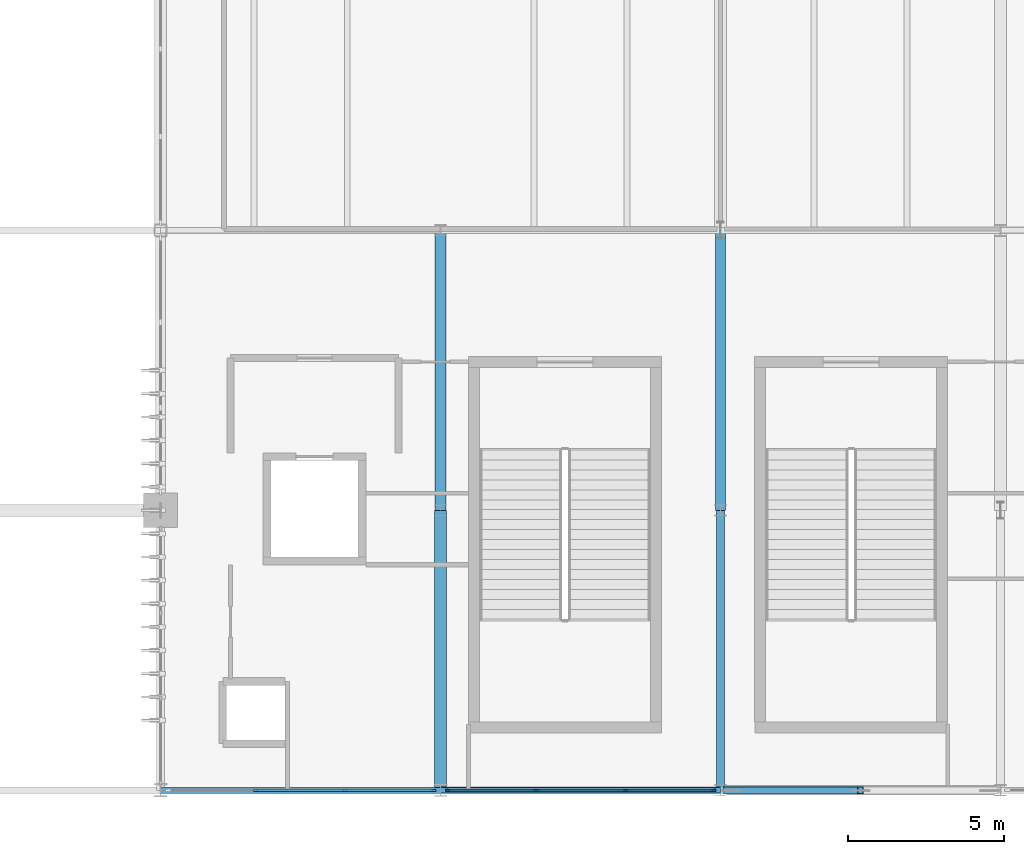
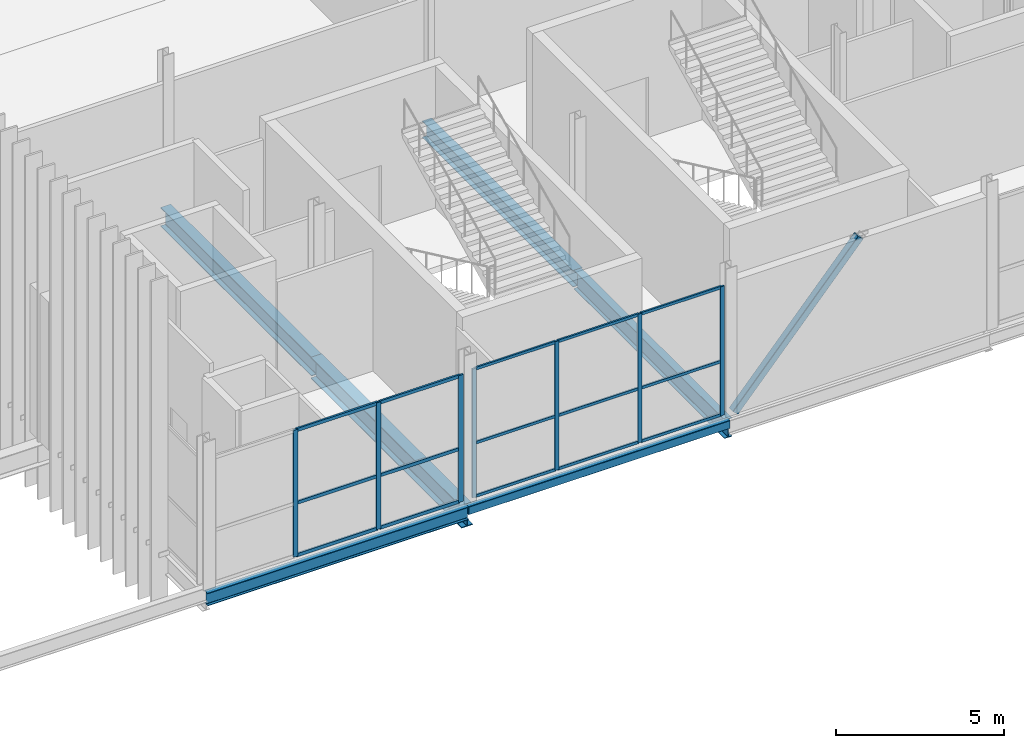
# One storey, part 44 of 119: 23 members, 6 beams, 2 elements without a shape of their own.
"""IFC4 building model written with IfcOpenShell, lengths in metres."""

import ifcopenshell
import ifcopenshell.guid

model = None  # the IFC model being written
_history = None  # IfcOwnerHistory: only IFC2X3 demands one
_inside = {}  # id of a spatial element -> (the spatial element, [elements in it])
_under = {}  # id of a project, library or spatial element -> (it, [spatial elements below it])
_declared = {}  # id of a project -> (the project, [libraries it declares])
_typed = {}  # id of a type object -> (the type object, [elements of that type])
_made_of = {}  # id of a material, layer set ... -> (it, [elements and type objects made of it])


def new_model(schema):
    """Start an empty IFC model of exactly this schema.

    Asked for "IFC4X3", IfcOpenShell would pick the latest addendum, in which some entities
    have other attributes; the version numbers below select the first issue.
    IFC2X3 requires an IfcOwnerHistory on every rooted entity: one is made here for all.
    """
    global model, _history
    if schema == "IFC4X3":
        model = ifcopenshell.file(schema_version=(4, 3, 0, 0))
    else:
        model = ifcopenshell.file(schema=schema)
    _inside.clear()
    _under.clear()
    _declared.clear()
    _typed.clear()
    _made_of.clear()
    _history = None
    if model.schema == "IFC2X3":
        org = make("IfcOrganization", Name="unknown")
        user = make(
            "IfcPersonAndOrganization",
            ThePerson=make("IfcPerson", FamilyName="unknown"),
            TheOrganization=org,
        )
        app = make(
            "IfcApplication",
            ApplicationDeveloper=org,
            Version="unknown",
            ApplicationFullName="unknown",
            ApplicationIdentifier="unknown",
        )
        _history = make(
            "IfcOwnerHistory",
            OwningUser=user,
            OwningApplication=app,
            ChangeAction="ADDED",
            CreationDate=0,
        )
    return model


def make(cls, **values):
    """One entity of the class cls with the attributes given. An attribute that is None is left unset."""
    return model.create_entity(
        cls, **{name: value for name, value in values.items() if value is not None}
    )


def rooted(cls, **values):
    """An entity with a GlobalId (a new one), such as an element, a storey or a relation."""
    return make(cls, GlobalId=ifcopenshell.guid.new(), OwnerHistory=_history, **values)


def si_unit(unit_type, name, prefix=None):
    """IfcSIUnit, for example si_unit("LENGTHUNIT", "METRE", prefix="MILLI")."""
    return make("IfcSIUnit", UnitType=unit_type, Prefix=prefix, Name=name)


def assignment(units):
    """IfcUnitAssignment: the units of a project."""
    return None if units is None else make("IfcUnitAssignment", Units=units)


def point(xyz):
    """IfcCartesianPoint."""
    return None if xyz is None else make("IfcCartesianPoint", Coordinates=xyz)


def direction(xyz):
    """IfcDirection."""
    return None if xyz is None else make("IfcDirection", DirectionRatios=xyz)


def frame(location, z_axis=None, x_axis=None):
    """IfcAxis2Placement3D, a coordinate frame: its origin and axes. An axis left out is left unset."""
    return make(
        "IfcAxis2Placement3D",
        Location=point(location),
        Axis=direction(z_axis),
        RefDirection=direction(x_axis),
    )


def frame_2d(location, x_axis=None):
    """IfcAxis2Placement2D, a coordinate frame in the plane: its origin and x axis."""
    return make(
        "IfcAxis2Placement2D", Location=point(location), RefDirection=direction(x_axis)
    )


def origin():
    """The frame at (0, 0, 0) with its axes left unset."""
    return frame((0.0, 0.0, 0.0))


def origin_2d():
    """The frame at (0, 0) in the plane with its x axis left unset."""
    return frame_2d((0.0, 0.0))


def place(relative_to, where):
    """IfcLocalPlacement: puts the frame where relative to a parent placement (None: the world)."""
    return make(
        "IfcLocalPlacement", PlacementRelTo=relative_to, RelativePlacement=where
    )


def context(
    kind, dimensions, precision=None, world=None, true_north=None, identifier=None
):
    """IfcGeometricRepresentationContext, for example the 3D "Model" context."""
    return make(
        "IfcGeometricRepresentationContext",
        ContextIdentifier=identifier,
        ContextType=kind,
        CoordinateSpaceDimension=dimensions,
        Precision=precision,
        WorldCoordinateSystem=world,
        TrueNorth=true_north,
    )


def subcontext(parent, identifier, kind, view, scale=None):
    """IfcGeometricRepresentationSubContext, for example "Body" below "Model"."""
    return make(
        "IfcGeometricRepresentationSubContext",
        ContextIdentifier=identifier,
        ContextType=kind,
        ParentContext=parent,
        TargetScale=scale,
        TargetView=view,
    )


def project(units=None, contexts=None):
    """IfcProject with its units and contexts."""
    return rooted(
        "IfcProject",
        Name="project",
        RepresentationContexts=contexts,
        UnitsInContext=assignment(units),
    )


def spatial(cls, under=None, at=None, **own):
    """A site, building, storey or space (cls), placed at a placement, below another one or the project."""
    s = rooted(cls, ObjectPlacement=at, **own)
    if under is not None:
        _under.setdefault(under.id(), (under, []))[1].append(s)
    return s


def profile(cls, at=None, kind="AREA", **sizes):
    """A parametric profile (cls). Its sizes go by their IFC names, for example OverallWidth=200.0."""
    return make(cls, ProfileType=kind, Position=at, **sizes)


def rectangle(**sizes):
    """IfcRectangleProfileDef."""
    return profile("IfcRectangleProfileDef", **sizes)


def hollow_rectangle(**sizes):
    """IfcRectangleHollowProfileDef."""
    return profile("IfcRectangleHollowProfileDef", **sizes)


def i_section(**sizes):
    """IfcIShapeProfileDef."""
    return profile("IfcIShapeProfileDef", **sizes)


def extrude(swept, where, along, depth):
    """IfcExtrudedAreaSolid: the profile swept, set in the frame where, extruded along a direction by depth."""
    return make(
        "IfcExtrudedAreaSolid",
        SweptArea=swept,
        Position=where,
        ExtrudedDirection=direction(along),
        Depth=depth,
    )


def shape(context_of_items, identifier, shape_type, items):
    """IfcShapeRepresentation: the items that make up one representation, for example the "Body"."""
    return make(
        "IfcShapeRepresentation",
        ContextOfItems=context_of_items,
        RepresentationIdentifier=identifier,
        RepresentationType=shape_type,
        Items=items,
    )


def material(Name=None, Category=None):
    """IfcMaterial."""
    return make("IfcMaterial", Name=Name, Category=Category)


def layer(
    of_material, thickness, ventilated=None, Name=None, Category=None, Priority=None
):
    """IfcMaterialLayer: one layer of a wall or slab, of a material (None: an air gap)."""
    return make(
        "IfcMaterialLayer",
        Material=of_material,
        LayerThickness=thickness,
        IsVentilated=ventilated,
        Name=Name,
        Category=Category,
        Priority=Priority,
    )


def layer_set(layers, Name=None):
    """IfcMaterialLayerSet."""
    return make("IfcMaterialLayerSet", MaterialLayers=layers, LayerSetName=Name)


def material_profile(
    of_material, cross_section, Name=None, Category=None, Priority=None
):
    """IfcMaterialProfile: a cross section and its material."""
    return make(
        "IfcMaterialProfile",
        Name=Name,
        Material=of_material,
        Profile=cross_section,
        Priority=Priority,
        Category=Category,
    )


def profile_set(profiles, Name=None, composite=None):
    """IfcMaterialProfileSet."""
    return make(
        "IfcMaterialProfileSet",
        Name=Name,
        MaterialProfiles=profiles,
        CompositeProfile=composite,
    )


def made_of(thing, what):
    """Note that an element or type object is made of a material, layer set ...; save() writes the relation."""
    if what is not None:
        _made_of.setdefault(what.id(), (what, []))[1].append(thing)
    return thing


def type_object(cls, material=None, **own):
    """A type object (cls), such as IfcWallType, which elements share."""
    return made_of(rooted(cls, **own), material)


def element(
    cls,
    number,
    at=None,
    inside=None,
    cuts=None,
    type_object=None,
    material=None,
    context=None,
    identifier="Body",
    shape_type=None,
    held_by="IfcProductDefinitionShape",
    body=None,
    shapes=None,
    **own,
):
    """One element of the class cls, such as IfcWall. Its Tag is "e" and its number.

    at: its placement. inside: the storey or other place that contains it. cuts: it is an
    opening in that element (IfcRelVoidsElement). A single representation is given by context,
    identifier, shape_type and body (its items); several are given by shapes. held_by: the class
    of the entity that holds the representations. save() writes the other relations.
    """
    e = rooted(cls, Tag="e%d" % number, ObjectPlacement=at, **own)
    if body is not None:
        shapes = [shape(context, identifier, shape_type, body)]
    if shapes is not None:
        e.Representation = make(held_by, Representations=shapes)
    if inside is not None:
        _inside.setdefault(inside.id(), (inside, []))[1].append(e)
    if cuts is not None:
        rooted(
            "IfcRelVoidsElement", RelatingBuildingElement=cuts, RelatedOpeningElement=e
        )
    if type_object is not None:
        _typed.setdefault(type_object.id(), (type_object, []))[1].append(e)
    return made_of(e, material)


def aggregate(whole, parts):
    """IfcRelAggregates: a whole, such as a stair, and the parts it consists of."""
    return rooted("IfcRelAggregates", RelatingObject=whole, RelatedObjects=parts)


def save(model, path):
    """Write the relations noted so far, then the file.

    IfcRelAggregates (storeys below a building ...), IfcRelContainedInSpatialStructure (elements
    in a storey), IfcRelDefinesByType, IfcRelAssociatesMaterial and IfcRelDeclares: one each for
    every whole, place, type object, material and project.
    """
    for whole, parts in _under.values():
        aggregate(whole, parts)
    for where, things in _inside.values():
        rooted(
            "IfcRelContainedInSpatialStructure",
            RelatedElements=things,
            RelatingStructure=where,
        )
    for kind, things in _typed.values():
        rooted("IfcRelDefinesByType", RelatedObjects=things, RelatingType=kind)
    for what, things in _made_of.values():
        rooted("IfcRelAssociatesMaterial", RelatedObjects=things, RelatingMaterial=what)
    for by, libraries in _declared.values():
        rooted("IfcRelDeclares", RelatingContext=by, RelatedDefinitions=libraries)
    model.write(path)


model = new_model("IFC4")

# Units and contexts
model_context = context("Model", 3, precision=1e-05, world=origin(), true_north=direction((0.0, 1.0)))
body_context = subcontext(model_context, "Body", "Model", "MODEL_VIEW")
ifc_project = project(units=[si_unit("LENGTHUNIT", "METRE"), si_unit("AREAUNIT", "SQUARE_METRE"), si_unit("VOLUMEUNIT", "CUBIC_METRE"), si_unit("PLANEANGLEUNIT", "RADIAN"), si_unit("MASSUNIT", "GRAM", prefix="KILO")], contexts=[model_context])

# Site, building, storey
site_placement = place(None, origin())
site = spatial("IfcSite", under=ifc_project, at=site_placement, CompositionType="ELEMENT")
building_placement = place(site_placement, origin())
building = spatial("IfcBuilding", under=site, at=building_placement, Name="Qamarlyn Nura Convention Centre", CompositionType="ELEMENT")
storey_placement = place(building_placement, frame((0.0, 0.0, 5.39990234375)))
storey = spatial("IfcBuildingStorey", under=building, at=storey_placement, Name="L01", CompositionType="ELEMENT", Elevation=5.39990234375)

# Beams
ifc_material_1 = material(Name="Steel ASTM A992", Category="steel")
ifc_material_profile_1 = material_profile(ifc_material_1, i_section(OverallWidth=0.323974609375, OverallDepth=0.611083984375, WebThickness=0.0126953125, FlangeThickness=0.01904296875, FilletRadius=0.01611328125, at=origin_2d()), Name="W610X155")
ifc_profile_set_1 = profile_set([ifc_material_profile_1], Name="Steel ASTM A992")
beam_type_1 = type_object("IfcBeamType", Name="BM-GIRD-610", PredefinedType="BEAM", material=ifc_profile_set_1)
beam_1_placement = place(storey_placement, frame((171.0, 9.0, -0.525390625), z_axis=(0.0, 1.0, 0.0), x_axis=(-1.0, 0.0, 0.0)))
element("IfcBeam", 1, at=beam_1_placement, inside=storey, type_object=beam_type_1, Name="L01 girder 15 B-C", PredefinedType="BEAM", context=body_context, shape_type="SweptSolid", body=[
    extrude(i_section(OverallWidth=0.323974609375, OverallDepth=0.611083984375, WebThickness=0.0126953125, FlangeThickness=0.01904296875, FilletRadius=0.01611328125, at=origin_2d()), origin(), (0.0, 0.0, 1.0), 9.0),
])
ifc_material_profile_2 = material_profile(ifc_material_1, i_section(OverallWidth=0.35498046875, OverallDepth=0.695068359375, WebThickness=0.015380859375, FlangeThickness=0.02490234375, FilletRadius=0.01806640625, at=origin_2d()), Name="W690X217")
ifc_profile_set_2 = profile_set([ifc_material_profile_2], Name="Steel ASTM A992")
beam_type_2 = type_object("IfcBeamType", Name="BM-GIRD-690A", PredefinedType="BEAM", material=ifc_profile_set_2)
beam_2_placement = place(storey_placement, frame((162.0, 9.0, -0.5673828125), z_axis=(0.0, 1.0, 0.0), x_axis=(-1.0, 0.0, 0.0)))
element("IfcBeam", 2, at=beam_2_placement, inside=storey, type_object=beam_type_2, Name="L01 girder 14 B-C", PredefinedType="BEAM", context=body_context, shape_type="SweptSolid", body=[
    extrude(i_section(OverallWidth=0.35498046875, OverallDepth=0.695068359375, WebThickness=0.015380859375, FlangeThickness=0.02490234375, FilletRadius=0.01806640625, at=origin_2d()), origin(), (0.0, 0.0, 1.0), 9.0),
])
ifc_material_profile_3 = material_profile(ifc_material_1, i_section(OverallWidth=0.25390625, OverallDepth=0.68408203125, WebThickness=0.012451171875, FlangeThickness=0.01904296875, FilletRadius=0.01806640625, at=origin_2d()), Name="W690X140")
ifc_profile_set_3 = profile_set([ifc_material_profile_3], Name="Steel ASTM A992")
beam_type_3 = type_object("IfcBeamType", Name="BM-GIRD-690B", PredefinedType="BEAM", material=ifc_profile_set_3)
beam_3_placement = place(storey_placement, frame((171.0, 0.0, -0.56201171875), z_axis=(0.0, 1.0, 0.0), x_axis=(-1.0, 0.0, 0.0)))
element("IfcBeam", 3, at=beam_3_placement, inside=storey, type_object=beam_type_3, Name="L01 girder 15 A-B", PredefinedType="BEAM", context=body_context, shape_type="SweptSolid", body=[
    extrude(i_section(OverallWidth=0.25390625, OverallDepth=0.68408203125, WebThickness=0.012451171875, FlangeThickness=0.01904296875, FilletRadius=0.01806640625, at=origin_2d()), origin(), (0.0, 0.0, 1.0), 9.0),
])
ifc_material_profile_4 = material_profile(ifc_material_1, i_section(OverallWidth=0.381103515625, OverallDepth=0.77294921875, WebThickness=0.0166015625, FlangeThickness=0.027587890625, FilletRadius=0.02001953125, at=origin_2d()), Name="W760X257")
ifc_profile_set_4 = profile_set([ifc_material_profile_4], Name="Steel ASTM A992")
beam_type_4 = type_object("IfcBeamType", Name="BM-GIRD-760", PredefinedType="BEAM", material=ifc_profile_set_4)
beam_4_placement = place(storey_placement, frame((162.0, 0.0, -0.6064453125), z_axis=(0.0, 1.0, 0.0), x_axis=(-1.0, 0.0, 0.0)))
element("IfcBeam", 4, at=beam_4_placement, inside=storey, type_object=beam_type_4, Name="L01 girder 14 A-B", PredefinedType="BEAM", context=body_context, shape_type="SweptSolid", body=[
    extrude(i_section(OverallWidth=0.381103515625, OverallDepth=0.77294921875, WebThickness=0.0166015625, FlangeThickness=0.027587890625, FilletRadius=0.02001953125, at=origin_2d()), origin(), (0.0, 0.0, 1.0), 9.0),
])
ifc_material_profile_5 = material_profile(ifc_material_1, i_section(OverallWidth=0.193115234375, OverallDepth=0.466064453125, WebThickness=0.011474609375, FlangeThickness=0.01904296875, FilletRadius=0.012939453125, at=origin_2d()), Name="W460X97")
ifc_profile_set_5 = profile_set([ifc_material_profile_5], Name="Steel ASTM A992")
beam_type_5 = type_object("IfcBeamType", Name="BM-SPAN-460", PredefinedType="SPANDREL", material=ifc_profile_set_5)
beam_5_placement = place(storey_placement, frame((153.0, 0.0, -0.452880859375), z_axis=(1.0, 0.0, 0.0), x_axis=(0.0, 1.0, 0.0)))
element("IfcBeam", 5, at=beam_5_placement, inside=storey, type_object=beam_type_5, Name="L01 girder A 13-14", PredefinedType="SPANDREL", context=body_context, shape_type="SweptSolid", body=[
    extrude(i_section(OverallWidth=0.193115234375, OverallDepth=0.466064453125, WebThickness=0.011474609375, FlangeThickness=0.01904296875, FilletRadius=0.012939453125, at=origin_2d()), origin(), (0.0, 0.0, 1.0), 9.0),
])
ifc_material_2 = material(Name="Steel ASTM A500 Grade C", Category="steel")
ifc_material_profile_6 = material_profile(ifc_material_2, hollow_rectangle(XDim=0.199951171875, YDim=0.300048828125, WallThickness=0.012451171875, InnerFilletRadius=0.012451171875, OuterFilletRadius=0.02490234375, at=origin_2d()), Name="HSS300X200X12.5")
ifc_profile_set_6 = profile_set([ifc_material_profile_6], Name="Steel ASTM A500 Grade C")
beam_type_6 = type_object("IfcBeamType", Name="BM-SPAN-HSS", PredefinedType="SPANDREL", material=ifc_profile_set_6)
beam_6_placement = place(storey_placement, frame((162.0, 0.0, -0.369873046875), z_axis=(1.0, 0.0, 0.0), x_axis=(0.0, 1.0, 0.0)))
element("IfcBeam", 6, at=beam_6_placement, inside=storey, type_object=beam_type_6, Name="L01 girder A 14-15", PredefinedType="SPANDREL", context=body_context, shape_type="SweptSolid", body=[
    extrude(hollow_rectangle(XDim=0.199951171875, YDim=0.300048828125, WallThickness=0.012451171875, InnerFilletRadius=0.012451171875, OuterFilletRadius=0.02490234375, at=origin_2d()), origin(), (0.0, 0.0, 1.0), 9.0),
])

# Member
ifc_material_profile_7 = material_profile(ifc_material_2, hollow_rectangle(XDim=0.25, YDim=0.25, WallThickness=0.012451171875, InnerFilletRadius=0.012451171875, OuterFilletRadius=0.02490234375, at=origin_2d()), Name="HSS250X250X12.5")
ifc_profile_set_7 = profile_set([ifc_material_profile_7], Name="Steel ASTM A500 Grade C")
member_type_1 = type_object("IfcMemberType", Name="CBF-BRC-250", PredefinedType="BRACE", material=ifc_profile_set_7)
member_1_placement = place(storey_placement, frame((171.179931640625, 0.0, 0.0), z_axis=(0.662834903935, 0.0, 0.748765577551), x_axis=(0.0, 1.0, 0.0)))
element("IfcMember", 7, at=member_1_placement, inside=storey, type_object=member_type_1, Name="L01 SCBF chevron brace CBF-E1L", PredefinedType="BRACE", context=body_context, shape_type="SweptSolid", body=[
    extrude(hollow_rectangle(XDim=0.25, YDim=0.25, WallThickness=0.012451171875, InnerFilletRadius=0.012451171875, OuterFilletRadius=0.02490234375, at=origin_2d()), origin(), (0.0, 0.0, 1.0), 6.517578125),
])

# Curtain wall, members
ifc_material_3 = material(Name="Double-silver low-E insulated glass", Category="glass")
ifc_layer_1 = layer(ifc_material_3, 0.179931640625, Name="CW-UNIT-77")
ifc_layer_set_1 = layer_set([ifc_layer_1], Name="Double-silver low-E insulated glass")
curtain_wall_type_1 = type_object("IfcCurtainWallType", Name="CW-UNIT-77", PredefinedType="NOTDEFINED", material=ifc_layer_set_1)
curtain_wall_1_placement = place(storey_placement, origin())
curtain_wall_1 = element("IfcCurtainWall", 8, at=curtain_wall_1_placement, inside=storey, type_object=curtain_wall_type_1, Name="L01 unitised curtain wall STH-2-1", PredefinedType="NOTDEFINED")
ifc_material_4 = material(Name="Champagne-anodised marine aluminium", Category="aluminium")
ifc_material_profile_8 = material_profile(ifc_material_4, rectangle(XDim=0.06005859375, YDim=0.139892578125, at=origin_2d()), Name="ALU MULLION 60x140")
ifc_profile_set_8 = profile_set([ifc_material_profile_8], Name="Champagne-anodised marine aluminium")
member_type_2 = type_object("IfcMemberType", Name="CWM-140", PredefinedType="MULLION", material=ifc_profile_set_8)
member_2_placement = place(storey_placement, frame((170.782958984375, 0.0, 0.0), z_axis=(0.0, 0.0, 1.0), x_axis=(0.0, -1.0, 0.0)))
member_2 = element("IfcMember", 9, at=member_2_placement, type_object=member_type_2, Name="CW77 mullion 1", PredefinedType="MULLION", context=body_context, shape_type="SweptSolid", body=[
    extrude(rectangle(XDim=0.06005859375, YDim=0.139892578125, at=origin_2d()), origin(), (0.0, 0.0, 1.0), 4.69921875),
])
member_3_placement = place(storey_placement, frame((167.94189453125, 0.0, 0.0), z_axis=(0.0, 0.0, 1.0), x_axis=(0.0, -1.0, 0.0)))
member_3 = element("IfcMember", 10, at=member_3_placement, type_object=member_type_2, Name="CW77 mullion 2", PredefinedType="MULLION", context=body_context, shape_type="SweptSolid", body=[
    extrude(rectangle(XDim=0.06005859375, YDim=0.139892578125, at=origin_2d()), origin(), (0.0, 0.0, 1.0), 4.69921875),
])
member_4_placement = place(storey_placement, frame((165.070556640625, 0.0, 0.0), z_axis=(0.0, 0.0, 1.0), x_axis=(0.0, -1.0, 0.0)))
member_4 = element("IfcMember", 11, at=member_4_placement, type_object=member_type_2, Name="CW77 mullion 3", PredefinedType="MULLION", context=body_context, shape_type="SweptSolid", body=[
    extrude(rectangle(XDim=0.06005859375, YDim=0.139892578125, at=origin_2d()), origin(), (0.0, 0.0, 1.0), 4.69921875),
])
member_5_placement = place(storey_placement, frame((162.2294921875, 0.0, 0.0), z_axis=(0.0, 0.0, 1.0), x_axis=(0.0, -1.0, 0.0)))
member_5 = element("IfcMember", 12, at=member_5_placement, type_object=member_type_2, Name="CW77 mullion 4", PredefinedType="MULLION", context=body_context, shape_type="SweptSolid", body=[
    extrude(rectangle(XDim=0.06005859375, YDim=0.139892578125, at=origin_2d()), origin(), (0.0, 0.0, 1.0), 4.69921875),
])

ifc_layer_2 = layer(ifc_material_3, 0.179931640625, Name="CW-UNIT-76")
ifc_layer_set_2 = layer_set([ifc_layer_2], Name="Double-silver low-E insulated glass")
curtain_wall_type_2 = type_object("IfcCurtainWallType", Name="CW-UNIT-76", PredefinedType="NOTDEFINED", material=ifc_layer_set_2)
curtain_wall_2_placement = place(storey_placement, origin())
curtain_wall_2 = element("IfcCurtainWall", 13, at=curtain_wall_2_placement, inside=storey, type_object=curtain_wall_type_2, Name="L01 unitised curtain wall STH-1-1", PredefinedType="NOTDEFINED")
ifc_material_profile_9 = material_profile(ifc_material_4, rectangle(XDim=0.06494140625, YDim=0.159912109375, at=origin_2d()), Name="ALU MULLION 65x160")
ifc_profile_set_9 = profile_set([ifc_material_profile_9], Name="Champagne-anodised marine aluminium")
member_type_3 = type_object("IfcMemberType", Name="CWM-160", PredefinedType="MULLION", material=ifc_profile_set_9)
member_6_placement = place(storey_placement, frame((161.76806640625, 0.0, 0.0), z_axis=(0.0, 0.0, 1.0), x_axis=(0.0, -1.0, 0.0)))
member_6 = element("IfcMember", 14, at=member_6_placement, type_object=member_type_3, Name="CW76 mullion 1", PredefinedType="MULLION", context=body_context, shape_type="SweptSolid", body=[
    extrude(rectangle(XDim=0.06494140625, YDim=0.159912109375, at=origin_2d()), origin(), (0.0, 0.0, 1.0), 4.6259765625),
])
member_7_placement = place(storey_placement, frame((158.93505859375, 0.0, 0.0), z_axis=(0.0, 0.0, 1.0), x_axis=(0.0, -1.0, 0.0)))
member_7 = element("IfcMember", 15, at=member_7_placement, type_object=member_type_3, Name="CW76 mullion 2", PredefinedType="MULLION", context=body_context, shape_type="SweptSolid", body=[
    extrude(rectangle(XDim=0.06494140625, YDim=0.159912109375, at=origin_2d()), origin(), (0.0, 0.0, 1.0), 4.6259765625),
])
member_8_placement = place(storey_placement, frame((156.06982421875, 0.0, 0.0), z_axis=(0.0, 0.0, 1.0), x_axis=(0.0, -1.0, 0.0)))
member_8 = element("IfcMember", 16, at=member_8_placement, type_object=member_type_3, Name="CW76 mullion 3", PredefinedType="MULLION", context=body_context, shape_type="SweptSolid", body=[
    extrude(rectangle(XDim=0.06494140625, YDim=0.159912109375, at=origin_2d()), origin(), (0.0, 0.0, 1.0), 4.6259765625),
])

# Member
ifc_material_profile_10 = material_profile(ifc_material_4, rectangle(XDim=0.06005859375, YDim=0.10009765625, at=origin_2d()), Name="ALU TRANSOM 60x100")
ifc_profile_set_10 = profile_set([ifc_material_profile_10], Name="Champagne-anodised marine aluminium")
member_type_4 = type_object("IfcMemberType", Name="CWT-100", PredefinedType="USERDEFINED", material=ifc_profile_set_10)
member_9_placement = place(storey_placement, frame((170.7529296875, 0.0, 0.030029296875), z_axis=(-1.0, 0.0, 0.0), x_axis=(0.0, -1.0, 0.0)))
member_9 = element("IfcMember", 17, at=member_9_placement, type_object=member_type_4, Name="CW77 transom 1.1", ObjectType="TRANSOM", PredefinedType="USERDEFINED", context=body_context, shape_type="SweptSolid", body=[
    extrude(rectangle(XDim=0.06005859375, YDim=0.10009765625, at=origin_2d()), origin(), (0.0, 0.0, 1.0), 2.781005859375),
])

member_10_placement = place(storey_placement, frame((170.7529296875, 0.0, 1.97412109375), z_axis=(-1.0, 0.0, 0.0), x_axis=(0.0, -1.0, 0.0)))
member_10 = element("IfcMember", 18, at=member_10_placement, type_object=member_type_4, Name="CW77 transom 1.2", ObjectType="TRANSOM", PredefinedType="USERDEFINED", context=body_context, shape_type="SweptSolid", body=[
    extrude(rectangle(XDim=0.06005859375, YDim=0.10009765625, at=origin_2d()), origin(), (0.0, 0.0, 1.0), 2.781005859375),
])

member_11_placement = place(storey_placement, frame((170.7529296875, 0.0, 4.669189453125), z_axis=(-1.0, 0.0, 0.0), x_axis=(0.0, -1.0, 0.0)))
member_11 = element("IfcMember", 19, at=member_11_placement, type_object=member_type_4, Name="CW77 transom 1.3", ObjectType="TRANSOM", PredefinedType="USERDEFINED", context=body_context, shape_type="SweptSolid", body=[
    extrude(rectangle(XDim=0.06005859375, YDim=0.10009765625, at=origin_2d()), origin(), (0.0, 0.0, 1.0), 2.781005859375),
])

member_12_placement = place(storey_placement, frame((167.911865234375, 0.0, 0.030029296875), z_axis=(-1.0, 0.0, 0.0), x_axis=(0.0, -1.0, 0.0)))
member_12 = element("IfcMember", 20, at=member_12_placement, type_object=member_type_4, Name="CW77 transom 2.1", ObjectType="TRANSOM", PredefinedType="USERDEFINED", context=body_context, shape_type="SweptSolid", body=[
    extrude(rectangle(XDim=0.06005859375, YDim=0.10009765625, at=origin_2d()), origin(), (0.0, 0.0, 1.0), 2.811279296875),
])

member_13_placement = place(storey_placement, frame((167.911865234375, 0.0, 1.97412109375), z_axis=(-1.0, 0.0, 0.0), x_axis=(0.0, -1.0, 0.0)))
member_13 = element("IfcMember", 21, at=member_13_placement, type_object=member_type_4, Name="CW77 transom 2.2", ObjectType="TRANSOM", PredefinedType="USERDEFINED", context=body_context, shape_type="SweptSolid", body=[
    extrude(rectangle(XDim=0.06005859375, YDim=0.10009765625, at=origin_2d()), origin(), (0.0, 0.0, 1.0), 2.811279296875),
])

member_14_placement = place(storey_placement, frame((167.911865234375, 0.0, 4.669189453125), z_axis=(-1.0, 0.0, 0.0), x_axis=(0.0, -1.0, 0.0)))
member_14 = element("IfcMember", 22, at=member_14_placement, type_object=member_type_4, Name="CW77 transom 2.3", ObjectType="TRANSOM", PredefinedType="USERDEFINED", context=body_context, shape_type="SweptSolid", body=[
    extrude(rectangle(XDim=0.06005859375, YDim=0.10009765625, at=origin_2d()), origin(), (0.0, 0.0, 1.0), 2.811279296875),
])

member_15_placement = place(storey_placement, frame((165.040771484375, 0.0, 0.030029296875), z_axis=(-1.0, 0.0, 0.0), x_axis=(0.0, -1.0, 0.0)))
member_15 = element("IfcMember", 23, at=member_15_placement, type_object=member_type_4, Name="CW77 transom 3.1", ObjectType="TRANSOM", PredefinedType="USERDEFINED", context=body_context, shape_type="SweptSolid", body=[
    extrude(rectangle(XDim=0.06005859375, YDim=0.10009765625, at=origin_2d()), origin(), (0.0, 0.0, 1.0), 2.78125),
])

member_16_placement = place(storey_placement, frame((165.040771484375, 0.0, 1.97412109375), z_axis=(-1.0, 0.0, 0.0), x_axis=(0.0, -1.0, 0.0)))
member_16 = element("IfcMember", 24, at=member_16_placement, type_object=member_type_4, Name="CW77 transom 3.2", ObjectType="TRANSOM", PredefinedType="USERDEFINED", context=body_context, shape_type="SweptSolid", body=[
    extrude(rectangle(XDim=0.06005859375, YDim=0.10009765625, at=origin_2d()), origin(), (0.0, 0.0, 1.0), 2.78125),
])

member_17_placement = place(storey_placement, frame((165.040771484375, 0.0, 4.669189453125), z_axis=(-1.0, 0.0, 0.0), x_axis=(0.0, -1.0, 0.0)))
member_17 = element("IfcMember", 25, at=member_17_placement, type_object=member_type_4, Name="CW77 transom 3.3", ObjectType="TRANSOM", PredefinedType="USERDEFINED", context=body_context, shape_type="SweptSolid", body=[
    extrude(rectangle(XDim=0.06005859375, YDim=0.10009765625, at=origin_2d()), origin(), (0.0, 0.0, 1.0), 2.78125),
])

aggregate(curtain_wall_1, [member_2, member_3, member_4, member_5, member_9, member_10, member_11, member_12, member_13, member_14, member_15, member_16, member_17])

ifc_material_profile_11 = material_profile(ifc_material_4, rectangle(XDim=0.06494140625, YDim=0.1201171875, at=origin_2d()), Name="ALU TRANSOM 65x120")
ifc_profile_set_11 = profile_set([ifc_material_profile_11], Name="Champagne-anodised marine aluminium")
member_type_5 = type_object("IfcMemberType", Name="CWT-120", PredefinedType="USERDEFINED", material=ifc_profile_set_11)
member_18_placement = place(storey_placement, frame((161.735595703125, 0.0, 0.03271484375), z_axis=(-1.0, 0.0, 0.0), x_axis=(0.0, -1.0, 0.0)))
member_18 = element("IfcMember", 26, at=member_18_placement, type_object=member_type_5, Name="CW76 transom 1.1", ObjectType="TRANSOM", PredefinedType="USERDEFINED", context=body_context, shape_type="SweptSolid", body=[
    extrude(rectangle(XDim=0.06494140625, YDim=0.1201171875, at=origin_2d()), origin(), (0.0, 0.0, 1.0), 2.767822265625),
])

member_19_placement = place(storey_placement, frame((161.735595703125, 0.0, 1.943115234375), z_axis=(-1.0, 0.0, 0.0), x_axis=(0.0, -1.0, 0.0)))
member_19 = element("IfcMember", 27, at=member_19_placement, type_object=member_type_5, Name="CW76 transom 1.2", ObjectType="TRANSOM", PredefinedType="USERDEFINED", context=body_context, shape_type="SweptSolid", body=[
    extrude(rectangle(XDim=0.06494140625, YDim=0.1201171875, at=origin_2d()), origin(), (0.0, 0.0, 1.0), 2.767822265625),
])

member_20_placement = place(storey_placement, frame((161.735595703125, 0.0, 4.593505859375), z_axis=(-1.0, 0.0, 0.0), x_axis=(0.0, -1.0, 0.0)))
member_20 = element("IfcMember", 28, at=member_20_placement, type_object=member_type_5, Name="CW76 transom 1.3", ObjectType="TRANSOM", PredefinedType="USERDEFINED", context=body_context, shape_type="SweptSolid", body=[
    extrude(rectangle(XDim=0.06494140625, YDim=0.1201171875, at=origin_2d()), origin(), (0.0, 0.0, 1.0), 2.767822265625),
])

member_21_placement = place(storey_placement, frame((158.902587890625, 0.0, 0.03271484375), z_axis=(-1.0, 0.0, 0.0), x_axis=(0.0, -1.0, 0.0)))
member_21 = element("IfcMember", 29, at=member_21_placement, type_object=member_type_5, Name="CW76 transom 2.1", ObjectType="TRANSOM", PredefinedType="USERDEFINED", context=body_context, shape_type="SweptSolid", body=[
    extrude(rectangle(XDim=0.06494140625, YDim=0.1201171875, at=origin_2d()), origin(), (0.0, 0.0, 1.0), 2.80029296875),
])

member_22_placement = place(storey_placement, frame((158.902587890625, 0.0, 1.943115234375), z_axis=(-1.0, 0.0, 0.0), x_axis=(0.0, -1.0, 0.0)))
member_22 = element("IfcMember", 30, at=member_22_placement, type_object=member_type_5, Name="CW76 transom 2.2", ObjectType="TRANSOM", PredefinedType="USERDEFINED", context=body_context, shape_type="SweptSolid", body=[
    extrude(rectangle(XDim=0.06494140625, YDim=0.1201171875, at=origin_2d()), origin(), (0.0, 0.0, 1.0), 2.80029296875),
])

member_23_placement = place(storey_placement, frame((158.902587890625, 0.0, 4.593505859375), z_axis=(-1.0, 0.0, 0.0), x_axis=(0.0, -1.0, 0.0)))
member_23 = element("IfcMember", 31, at=member_23_placement, type_object=member_type_5, Name="CW76 transom 2.3", ObjectType="TRANSOM", PredefinedType="USERDEFINED", context=body_context, shape_type="SweptSolid", body=[
    extrude(rectangle(XDim=0.06494140625, YDim=0.1201171875, at=origin_2d()), origin(), (0.0, 0.0, 1.0), 2.80029296875),
])

aggregate(curtain_wall_2, [member_6, member_7, member_8, member_18, member_19, member_20, member_21, member_22, member_23])

save(model, "model.ifc")
